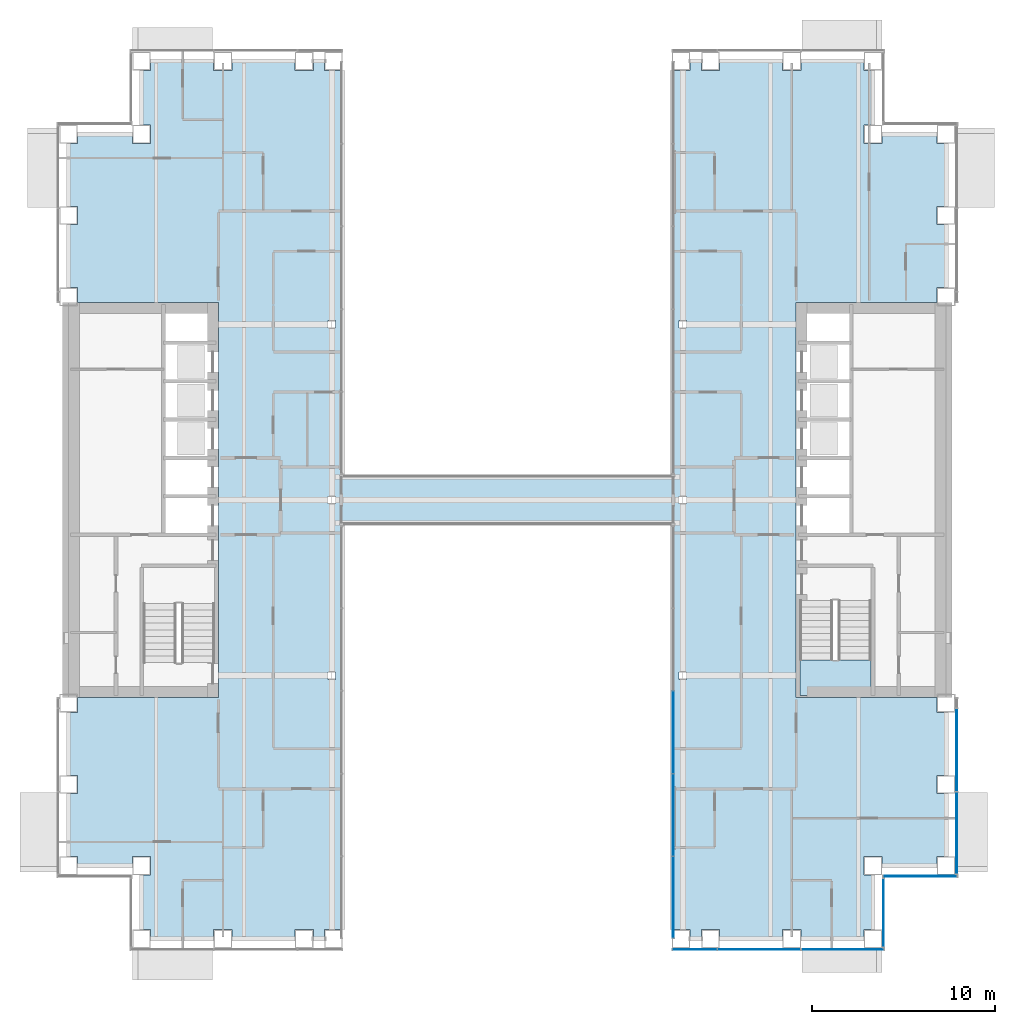
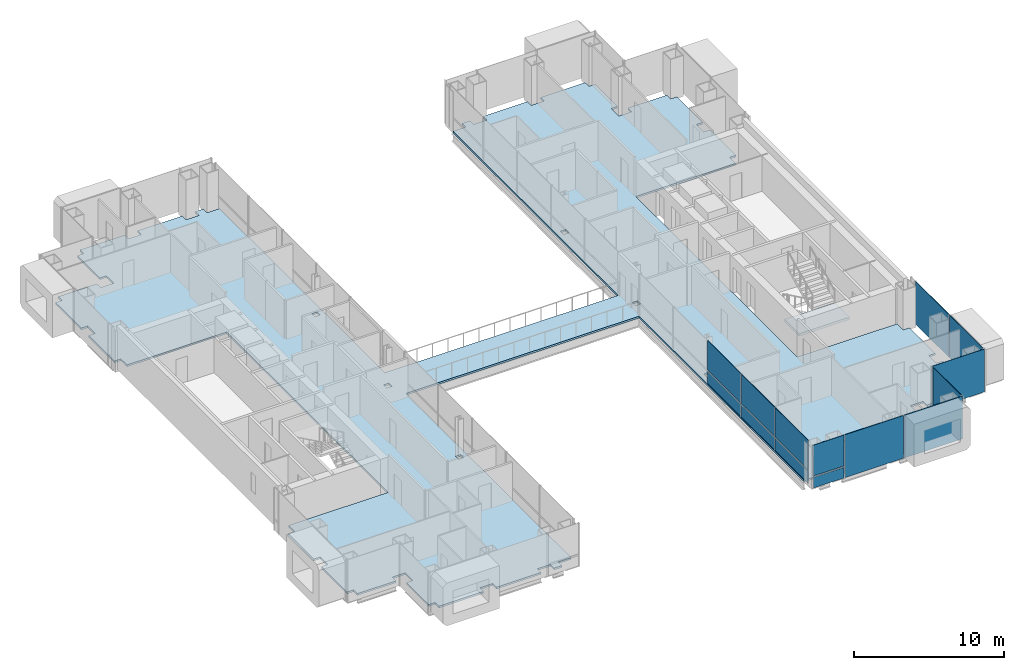
# One storey, part 10 of 21: 14 plates, 2 slabs, 6 elements without a shape of their own.
"""IFC4 building model written with IfcOpenShell, lengths in metres."""

from ifc_helpers import new_model, si_unit, direction, frame, origin, origin_2d, place, context, subcontext, project, spatial, polyline, rectangle, outline, extrude, material, layer, layer_set, type_object, element, aggregate, save


model = new_model("IFC4")

# Units and contexts
model_context = context("Model", 3, precision=1e-05, world=origin(), true_north=direction((0.0, 1.0)))
body_context = subcontext(model_context, "Body", "Model", "MODEL_VIEW")
ifc_project = project(units=[si_unit("LENGTHUNIT", "METRE"), si_unit("AREAUNIT", "SQUARE_METRE"), si_unit("VOLUMEUNIT", "CUBIC_METRE"), si_unit("PLANEANGLEUNIT", "RADIAN"), si_unit("MASSUNIT", "GRAM", prefix="KILO")], contexts=[model_context])

# Site, building, storey
site_placement = place(None, origin())
site = spatial("IfcSite", under=ifc_project, at=site_placement, CompositionType="ELEMENT")
building_placement = place(site_placement, origin())
building = spatial("IfcBuilding", under=site, at=building_placement, Name="Cobrizo Arcos Hotel Tower", CompositionType="ELEMENT")
storey_placement = place(building_placement, frame((0.0, 0.0, 81.0)))
storey = spatial("IfcBuildingStorey", under=building, at=storey_placement, Name="L19", CompositionType="ELEMENT", Elevation=81.0)

# Curtain wall, plates
ifc_material_1 = material(Name="Aluminium 6063-T6 anodised bronze", Category="aluminium")
curtain_wall_type_1 = type_object("IfcCurtainWallType", Name="CW-A guest facade", PredefinedType="NOTDEFINED", material=ifc_material_1)
curtain_wall_1_placement = place(storey_placement, origin())
curtain_wall_1 = element("IfcCurtainWall", 1, at=curtain_wall_1_placement, inside=storey, type_object=curtain_wall_type_1, Name="CW-A L19 S face", PredefinedType="NOTDEFINED")
ifc_material_2 = material(Name="Glass clear laminated low-e", Category="glass")
ifc_layer_1 = layer(ifc_material_2, 0.0400390625)
ifc_layer_set_1 = layer_set([ifc_layer_1], Name="CW-A glass panel")
plate_type_1 = type_object("IfcPlateType", Name="CW-A glass panel", PredefinedType="CURTAIN_PANEL", material=ifc_layer_set_1)
plate_1_placement = place(storey_placement, frame((10.251220703125, -24.574951171875, 0.990234375), z_axis=(0.0, 0.0, 1.0), x_axis=(1.0, 0.0, 0.0)))
plate_1 = element("IfcPlate", 2, at=plate_1_placement, type_object=plate_type_1, Name="CW-A glass panel 784", PredefinedType="CURTAIN_PANEL", context=body_context, shape_type="SweptSolid", body=[
    extrude(rectangle(XDim=2.38232421875, YDim=0.0400390625, at=origin_2d()), origin(), (0.0, 0.0, 1.0), 2.510009765625),
])
ifc_material_3 = material(Name="Aluminium composite panel pale metal", Category="aluminium")
ifc_layer_2 = layer(ifc_material_3, 0.0400390625)
ifc_layer_set_2 = layer_set([ifc_layer_2], Name="CW-A spandrel panel")
plate_type_2 = type_object("IfcPlateType", Name="CW-A spandrel panel", PredefinedType="CURTAIN_PANEL", material=ifc_layer_set_2)
plate_2_placement = place(storey_placement, frame((10.251220703125, -24.574951171875, 0.0), z_axis=(0.0, 0.0, 1.0), x_axis=(1.0, 0.0, 0.0)))
plate_2 = element("IfcPlate", 3, at=plate_2_placement, type_object=plate_type_2, Name="CW-A spandrel panel 784", PredefinedType="CURTAIN_PANEL", context=body_context, shape_type="SweptSolid", body=[
    extrude(rectangle(XDim=2.38232421875, YDim=0.0400390625, at=origin_2d()), origin(), (0.0, 0.0, 1.0), 0.8701171875),
])
plate_3_placement = place(storey_placement, frame((13.7666015625, -24.574951171875, 0.0), z_axis=(0.0, 0.0, 1.0), x_axis=(1.0, 0.0, 0.0)))
plate_3 = element("IfcPlate", 4, at=plate_3_placement, type_object=plate_type_2, Name="CW-A spandrel panel 785", PredefinedType="CURTAIN_PANEL", context=body_context, shape_type="SweptSolid", body=[
    extrude(rectangle(XDim=4.52880859375, YDim=0.0400390625, at=origin_2d()), origin(), (0.0, 0.0, 1.0), 3.5),
])
plate_4_placement = place(storey_placement, frame((18.340576171875, -24.574951171875, 0.0), z_axis=(0.0, 0.0, 1.0), x_axis=(1.0, 0.0, 0.0)))
plate_4 = element("IfcPlate", 5, at=plate_4_placement, type_object=plate_type_2, Name="CW-A spandrel panel 786", PredefinedType="CURTAIN_PANEL", context=body_context, shape_type="SweptSolid", body=[
    extrude(rectangle(XDim=4.498779296875, YDim=0.0400390625, at=origin_2d()), origin(), (0.0, 0.0, 1.0), 3.5),
])
aggregate(curtain_wall_1, [plate_2, plate_1, plate_3, plate_4])

# Curtain wall, plate
curtain_wall_2_placement = place(storey_placement, origin())
curtain_wall_2 = element("IfcCurtainWall", 6, at=curtain_wall_2_placement, inside=storey, type_object=curtain_wall_type_1, Name="CW-A L19 E face", PredefinedType="NOTDEFINED")
plate_5_placement = place(storey_placement, frame((20.574951171875, -22.574951171875, 0.0), z_axis=(0.0, 0.0, 1.0), x_axis=(0.0, 1.0, 0.0)))
plate_5 = element("IfcPlate", 7, at=plate_5_placement, type_object=plate_type_2, Name="CW-A spandrel panel 787", PredefinedType="CURTAIN_PANEL", context=body_context, shape_type="SweptSolid", body=[
    extrude(rectangle(XDim=3.72998046875, YDim=0.0400390625, at=origin_2d()), origin(), (0.0, 0.0, 1.0), 3.5),
])
aggregate(curtain_wall_2, [plate_5])

curtain_wall_3_placement = place(storey_placement, origin())
curtain_wall_3 = element("IfcCurtainWall", 8, at=curtain_wall_3_placement, inside=storey, type_object=curtain_wall_type_1, Name="CW-A L19 S face", PredefinedType="NOTDEFINED")
plate_6_placement = place(storey_placement, frame((22.574951171875, -20.574951171875, 0.0), z_axis=(0.0, 0.0, 1.0), x_axis=(1.0, 0.0, 0.0)))
plate_6 = element("IfcPlate", 9, at=plate_6_placement, type_object=plate_type_2, Name="CW-A spandrel panel 788", PredefinedType="CURTAIN_PANEL", context=body_context, shape_type="SweptSolid", body=[
    extrude(rectangle(XDim=4.030029296875, YDim=0.0400390625, at=origin_2d()), origin(), (0.0, 0.0, 1.0), 3.5),
])
aggregate(curtain_wall_3, [plate_6])

# Curtain wall, plates
curtain_wall_4_placement = place(storey_placement, origin())
curtain_wall_4 = element("IfcCurtainWall", 10, at=curtain_wall_4_placement, inside=storey, type_object=curtain_wall_type_1, Name="CW-A L19 E face", PredefinedType="NOTDEFINED")
plate_7_placement = place(storey_placement, frame((24.574951171875, -18.207275390625, 0.0), z_axis=(0.0, 0.0, 1.0), x_axis=(0.0, 1.0, 0.0)))
plate_7 = element("IfcPlate", 11, at=plate_7_placement, type_object=plate_type_2, Name="CW-A spandrel panel 789", PredefinedType="CURTAIN_PANEL", context=body_context, shape_type="SweptSolid", body=[
    extrude(rectangle(XDim=4.465576171875, YDim=0.0400390625, at=origin_2d()), origin(), (0.0, 0.0, 1.0), 3.5),
])
plate_8_placement = place(storey_placement, frame((24.574951171875, -13.666748046875, 0.0), z_axis=(0.0, 0.0, 1.0), x_axis=(0.0, 1.0, 0.0)))
plate_8 = element("IfcPlate", 12, at=plate_8_placement, type_object=plate_type_2, Name="CW-A spandrel panel 790", PredefinedType="CURTAIN_PANEL", context=body_context, shape_type="SweptSolid", body=[
    extrude(rectangle(XDim=4.49560546875, YDim=0.0400390625, at=origin_2d()), origin(), (0.0, 0.0, 1.0), 3.5),
])
aggregate(curtain_wall_4, [plate_7, plate_8])

curtain_wall_type_2 = type_object("IfcCurtainWallType", Name="CW-F void screen", PredefinedType="NOTDEFINED", material=ifc_material_1)
curtain_wall_5_placement = place(storey_placement, origin())
curtain_wall_5 = element("IfcCurtainWall", 13, at=curtain_wall_5_placement, inside=storey, type_object=curtain_wall_type_2, Name="CW-F L19 void screen A", PredefinedType="NOTDEFINED")
ifc_layer_3 = layer(ifc_material_2, 0.0400390625)
ifc_layer_set_3 = layer_set([ifc_layer_3], Name="CW-F glass panel")
plate_type_3 = type_object("IfcPlateType", Name="CW-F glass panel", PredefinedType="CURTAIN_PANEL", material=ifc_layer_set_3)
plate_9_placement = place(storey_placement, frame((9.074951171875, -21.72509765625, 0.0), z_axis=(0.0, 0.0, 1.0), x_axis=(0.0, 1.0, 0.0)))
plate_9 = element("IfcPlate", 14, at=plate_9_placement, type_object=plate_type_3, Name="CW-F glass panel 2548", PredefinedType="CURTAIN_PANEL", context=body_context, shape_type="SweptSolid", body=[
    extrude(rectangle(XDim=4.429931640625, YDim=0.0400390625, at=origin_2d()), origin(), (0.0, 0.0, 1.0), 0.989990234375),
])
plate_10_placement = place(storey_placement, frame((9.074951171875, -21.72509765625, 1.10986328125), z_axis=(0.0, 0.0, 1.0), x_axis=(0.0, 1.0, 0.0)))
plate_10 = element("IfcPlate", 15, at=plate_10_placement, type_object=plate_type_3, Name="CW-F glass panel 2548", PredefinedType="CURTAIN_PANEL", context=body_context, shape_type="SweptSolid", body=[
    extrude(rectangle(XDim=4.429931640625, YDim=0.0400390625, at=origin_2d()), origin(), (0.0, 0.0, 1.0), 2.389892578125),
])
plate_11_placement = place(storey_placement, frame((9.074951171875, -17.219970703125, 0.0), z_axis=(0.0, 0.0, 1.0), x_axis=(0.0, 1.0, 0.0)))
plate_11 = element("IfcPlate", 16, at=plate_11_placement, type_object=plate_type_3, Name="CW-F glass panel 2549", PredefinedType="CURTAIN_PANEL", context=body_context, shape_type="SweptSolid", body=[
    extrude(rectangle(XDim=4.4599609375, YDim=0.0400390625, at=origin_2d()), origin(), (0.0, 0.0, 1.0), 0.989990234375),
])
plate_12_placement = place(storey_placement, frame((9.074951171875, -17.219970703125, 1.10986328125), z_axis=(0.0, 0.0, 1.0), x_axis=(0.0, 1.0, 0.0)))
plate_12 = element("IfcPlate", 17, at=plate_12_placement, type_object=plate_type_3, Name="CW-F glass panel 2549", PredefinedType="CURTAIN_PANEL", context=body_context, shape_type="SweptSolid", body=[
    extrude(rectangle(XDim=4.4599609375, YDim=0.0400390625, at=origin_2d()), origin(), (0.0, 0.0, 1.0), 2.389892578125),
])
plate_13_placement = place(storey_placement, frame((9.074951171875, -12.699951171875, 0.0), z_axis=(0.0, 0.0, 1.0), x_axis=(0.0, 1.0, 0.0)))
plate_13 = element("IfcPlate", 18, at=plate_13_placement, type_object=plate_type_3, Name="CW-F glass panel 2550", PredefinedType="CURTAIN_PANEL", context=body_context, shape_type="SweptSolid", body=[
    extrude(rectangle(XDim=4.4599609375, YDim=0.0400390625, at=origin_2d()), origin(), (0.0, 0.0, 1.0), 0.989990234375),
])
plate_14_placement = place(storey_placement, frame((9.074951171875, -12.699951171875, 1.10986328125), z_axis=(0.0, 0.0, 1.0), x_axis=(0.0, 1.0, 0.0)))
plate_14 = element("IfcPlate", 19, at=plate_14_placement, type_object=plate_type_3, Name="CW-F glass panel 2550", PredefinedType="CURTAIN_PANEL", context=body_context, shape_type="SweptSolid", body=[
    extrude(rectangle(XDim=4.4599609375, YDim=0.0400390625, at=origin_2d()), origin(), (0.0, 0.0, 1.0), 2.389892578125),
])
aggregate(curtain_wall_5, [plate_9, plate_10, plate_11, plate_12, plate_13, plate_14])

# Slab
ifc_material_4 = material(Name="Concrete f'c 35 MPa", Category="concrete")
ifc_layer_4 = layer(ifc_material_4, 0.14990234375)
ifc_layer_set_4 = layer_set([ifc_layer_4], Name="Composite floor slab 150 f'c 35")
slab_type_1 = type_object("IfcSlabType", Name="Composite floor slab 150 f'c 35", PredefinedType="FLOOR", material=ifc_layer_set_4)
slab_1_placement = place(storey_placement, frame((0.0, 0.0, -0.14990234375)))
element("IfcSlab", 20, at=slab_1_placement, inside=storey, type_object=slab_type_1, Name="Floor slab S5, L19, no. 01", PredefinedType="FLOOR", context=body_context, shape_type="SweptSolid", body=[
    extrude(outline(polyline([(23.5, 20.0), (23.5, 19.5), (24.0, 19.5), (24.0, 16.055908203125), (23.5, 16.055908203125), (23.5, 15.055908203125), (24.0, 15.055908203125), (24.0, 11.611083984375), (23.5, 11.611083984375), (23.5, 10.800048828125), (15.800048828125, 10.800048828125), (15.800048828125, -10.800048828125), (23.5, -10.800048828125), (23.5, -11.611083984375), (24.0, -11.611083984375), (24.0, -15.055908203125), (23.5, -15.055908203125), (23.5, -16.055908203125), (24.0, -16.055908203125), (24.0, -19.5), (23.5, -19.5), (23.5, -20.0), (20.5, -20.0), (20.5, -19.5), (19.5, -19.5), (19.5, -20.5), (20.0, -20.5), (20.0, -23.5), (19.5, -23.5), (19.5, -24.0), (16.055908203125, -24.0), (16.055908203125, -23.5), (15.055908203125, -23.5), (15.055908203125, -24.0), (11.611083984375, -24.0), (11.611083984375, -23.5), (10.611083984375, -23.5), (10.611083984375, -24.0), (10.0, -24.0), (10.0, -23.5), (9.0, -23.5), (9.0, -1.39990234375), (-9.0, -1.39990234375), (-9.0, -23.5), (-10.0, -23.5), (-10.0, -24.0), (-10.611083984375, -24.0), (-10.611083984375, -23.5), (-11.611083984375, -23.5), (-11.611083984375, -24.0), (-15.055908203125, -24.0), (-15.055908203125, -23.5), (-16.055908203125, -23.5), (-16.055908203125, -24.0), (-19.5, -24.0), (-19.5, -23.5), (-20.0, -23.5), (-20.0, -20.5), (-19.5, -20.5), (-19.5, -19.5), (-20.5, -19.5), (-20.5, -20.0), (-23.5, -20.0), (-23.5, -19.5), (-24.0, -19.5), (-24.0, -16.055908203125), (-23.5, -16.055908203125), (-23.5, -15.055908203125), (-24.0, -15.055908203125), (-24.0, -11.611083984375), (-23.5, -11.611083984375), (-23.5, -10.800048828125), (-15.800048828125, -10.800048828125), (-15.800048828125, 10.800048828125), (-23.5, 10.800048828125), (-23.5, 11.611083984375), (-24.0, 11.611083984375), (-24.0, 15.055908203125), (-23.5, 15.055908203125), (-23.5, 16.055908203125), (-24.0, 16.055908203125), (-24.0, 19.5), (-23.5, 19.5), (-23.5, 20.0), (-20.5, 20.0), (-20.5, 19.5), (-19.5, 19.5), (-19.5, 20.5), (-20.0, 20.5), (-20.0, 23.5), (-19.5, 23.5), (-19.5, 24.0), (-16.055908203125, 24.0), (-16.055908203125, 23.5), (-15.055908203125, 23.5), (-15.055908203125, 24.0), (-11.611083984375, 24.0), (-11.611083984375, 23.5), (-10.611083984375, 23.5), (-10.611083984375, 24.0), (-10.0, 24.0), (-10.0, 23.5), (-9.0, 23.5), (-9.0, 1.39990234375), (9.0, 1.39990234375), (9.0, 23.5), (10.0, 23.5), (10.0, 24.0), (10.611083984375, 24.0), (10.611083984375, 23.5), (11.611083984375, 23.5), (11.611083984375, 24.0), (15.055908203125, 24.0), (15.055908203125, 23.5), (16.055908203125, 23.5), (16.055908203125, 24.0), (19.5, 24.0), (19.5, 23.5), (20.0, 23.5), (20.0, 20.5), (19.5, 20.5), (19.5, 19.5), (20.5, 19.5), (20.5, 20.0), (23.5, 20.0)]), holes=[polyline([(-9.804443359375, -9.804443359375), (-9.3955078125, -9.804443359375), (-9.3955078125, -9.3955078125), (-9.804443359375, -9.3955078125), (-9.804443359375, -9.804443359375)]), polyline([(-9.3955078125, -0.204345703125), (-9.3955078125, 0.204345703125), (-9.804443359375, 0.204345703125), (-9.804443359375, -0.204345703125), (-9.3955078125, -0.204345703125)]), polyline([(-9.3955078125, 9.3955078125), (-9.3955078125, 9.804443359375), (-9.804443359375, 9.804443359375), (-9.804443359375, 9.3955078125), (-9.3955078125, 9.3955078125)]), polyline([(9.3955078125, -9.804443359375), (9.804443359375, -9.804443359375), (9.804443359375, -9.3955078125), (9.3955078125, -9.3955078125), (9.3955078125, -9.804443359375)]), polyline([(9.3955078125, -0.204345703125), (9.804443359375, -0.204345703125), (9.804443359375, 0.204345703125), (9.3955078125, 0.204345703125), (9.3955078125, -0.204345703125)]), polyline([(9.804443359375, 9.3955078125), (9.804443359375, 9.804443359375), (9.3955078125, 9.804443359375), (9.3955078125, 9.3955078125), (9.804443359375, 9.3955078125)])]), origin(), (0.0, 0.0, 1.0), 0.14990234375),
])

# Stair, slab
ifc_material_5 = material(Name="Concrete f'c 40 MPa", Category="concrete")
stair_type = type_object("IfcStairType", Name="Exit stair", PredefinedType="HALF_TURN_STAIR", material=ifc_material_5)
stair_placement = place(storey_placement, origin())
stair = element("IfcStair", 21, at=stair_placement, inside=storey, type_object=stair_type, Name="L19 Exit stair ST-E", PredefinedType="HALF_TURN_STAIR")
ifc_layer_5 = layer(ifc_material_5, 0.199951171875)
ifc_layer_set_5 = layer_set([ifc_layer_5], Name="Stair landing")
slab_type_2 = type_object("IfcSlabType", Name="Stair landing", PredefinedType="LANDING", material=ifc_layer_set_5)
slab_2_placement = place(storey_placement, frame((0.0, 0.0, 1.550048828125)))
slab_2 = element("IfcSlab", 22, at=slab_2_placement, type_object=slab_type_2, Name="ST-E landing 1", PredefinedType="LANDING", context=body_context, shape_type="SweptSolid", body=[
    extrude(outline(polyline([(16.0, -8.739990234375), (16.0, -10.699951171875), (19.89990234375, -10.699951171875), (19.89990234375, -8.739990234375), (16.0, -8.739990234375)])), origin(), (0.0, 0.0, 1.0), 0.199951171875),
])
aggregate(stair, [slab_2])

save(model, "model.ifc")
